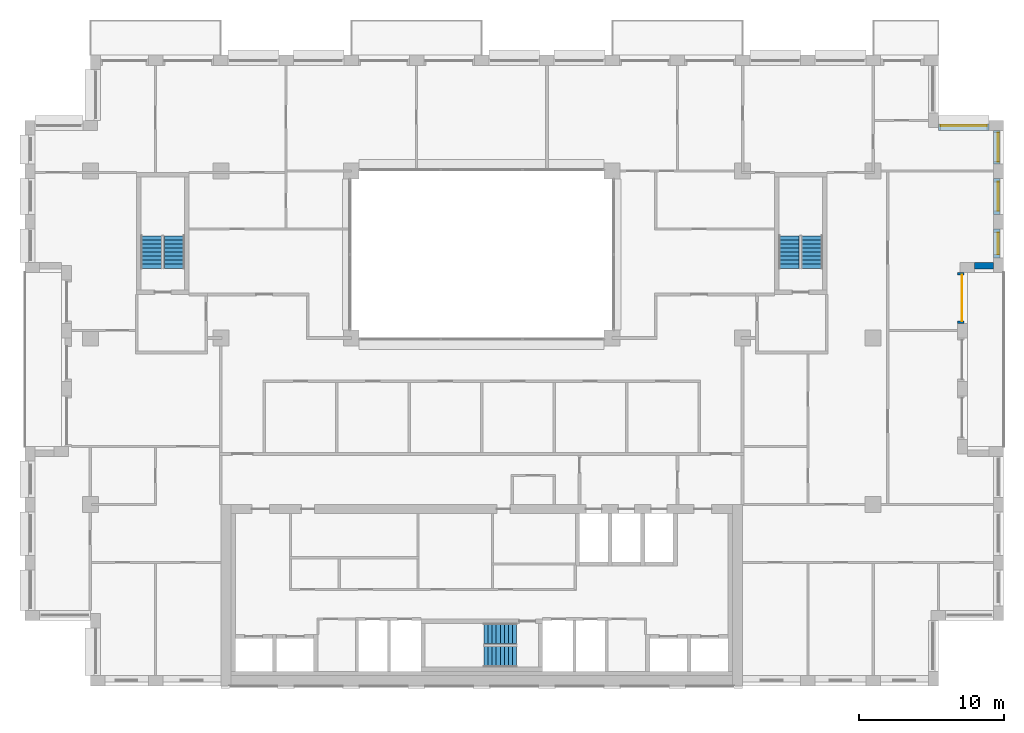
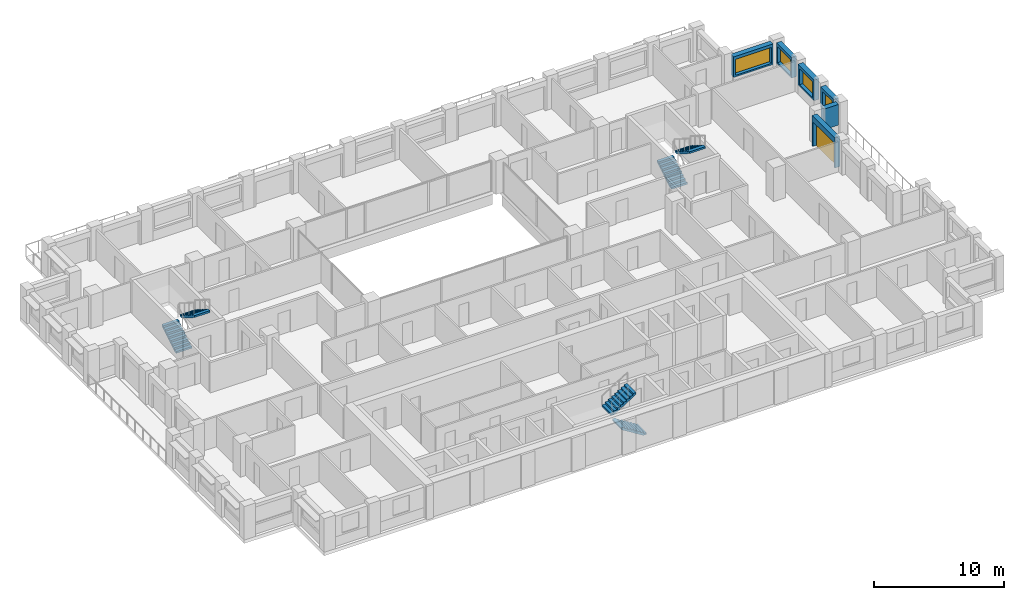
# One storey, part 14 of 15: 6 stair flights, 6 walls, 4 windows, 1 door, 5 openings, 3 elements without a shape of their own.
"""IFC4 building model written with IfcOpenShell, lengths in metres."""

from ifc_helpers import new_model, si_unit, direction, frame, frame_2d, origin, place, context, subcontext, project, spatial, polyline, rectangle, outline, extrude, material, layer, layer_set, type_object, element, fill, aggregate, save


model = new_model("IFC4")

# Units and contexts
model_context = context("Model", 3, precision=1e-05, world=origin(), true_north=direction((0.0, 1.0)))
body_context = subcontext(model_context, "Body", "Model", "MODEL_VIEW")
ifc_project = project(units=[si_unit("LENGTHUNIT", "METRE"), si_unit("AREAUNIT", "SQUARE_METRE"), si_unit("VOLUMEUNIT", "CUBIC_METRE"), si_unit("PLANEANGLEUNIT", "RADIAN"), si_unit("MASSUNIT", "GRAM", prefix="KILO")], contexts=[model_context])

# Site, building, storey
site_placement = place(None, origin())
site = spatial("IfcSite", under=ifc_project, at=site_placement, CompositionType="ELEMENT")
building_placement = place(site_placement, origin())
building = spatial("IfcBuilding", under=site, at=building_placement, Name="Brigalow Station Residences", CompositionType="ELEMENT")
storey_placement = place(building_placement, frame((0.0, 0.0, 150.75)))
storey = spatial("IfcBuildingStorey", under=building, at=storey_placement, Name="L43", CompositionType="ELEMENT", Elevation=150.75)

# Wall, opening, door
ifc_material_1 = material(Name="Clay brick masonry", Category="masonry")
ifc_layer = layer(ifc_material_1, 0.449951171875)
ifc_layer_set = layer_set([ifc_layer], Name="BRICK INFILL WALL 450")
wall_type = type_object("IfcWallType", Name="BRICK INFILL WALL 450", PredefinedType="SOLIDWALL", material=ifc_layer_set)
wall_1_placement = place(storey_placement, frame((69.02490234375, 25.0, 0.0), z_axis=(0.0, 0.0, 1.0), x_axis=(0.0, 1.0, 0.0)))
wall_1 = element("IfcWall", 1, at=wall_1_placement, inside=storey, type_object=wall_type, Name="L43/ewall/W-L43-15", PredefinedType="SOLIDWALL", context=body_context, shape_type="SweptSolid", body=[
    extrude(rectangle(XDim=3.5, YDim=0.449951171875, at=frame_2d((1.75, 0.0))), origin(), (0.0, 0.0, 1.0), 2.830078125),
])
opening_1_placement = place(wall_1_placement, frame((0.14990234375, 0.0, 0.0)))
opening_1 = element("IfcOpeningElement", 2, at=opening_1_placement, cuts=wall_1, Name="Opening D-B3200", PredefinedType="OPENING", context=body_context, shape_type="SweptSolid", body=[
    extrude(rectangle(XDim=3.199951171875, YDim=2.300048828125, at=frame_2d((1.60009765625, 1.14990234375))), frame((0.0, 0.23486328125, 0.0), z_axis=(0.0, -1.0, 0.0), x_axis=(1.0, 0.0, 0.0)), (0.0, 0.0, 1.0), 0.469970703125),
])
ifc_material_2 = material(Name="Anodised aluminium frame with double glazing", Category="aluminium")
door_type = type_object("IfcDoorType", Name="BALCONY SLIDING DOOR 3200x2300", OperationType="SLIDING_TO_LEFT", PredefinedType="DOOR", material=ifc_material_2)
door_placement = place(opening_1_placement, origin())
door = element("IfcDoor", 3, at=door_placement, inside=storey, type_object=door_type, Name="L43/balcony-door/W-L43-15", OperationType="SLIDING_TO_LEFT", OverallHeight=2.300048828125, OverallWidth=3.199951171875, PredefinedType="DOOR", context=body_context, shape_type="SweptSolid", body=[
    extrude(rectangle(XDim=3.199951171875, YDim=2.300048828125, at=frame_2d((1.60009765625, 1.14990234375))), frame((0.0, -0.06982421875, 0.0), z_axis=(0.0, -1.0, 0.0), x_axis=(1.0, 0.0, 0.0)), (0.0, 0.0, 1.0), 0.050048828125),
])
fill(opening_1, door)

# Wall
wall_2_placement = place(storey_placement, frame((70.0, 28.97509765625, 0.89990234375), z_axis=(0.0, 0.0, 1.0), x_axis=(1.0, 0.0, 0.0)))
element("IfcWall", 4, at=wall_2_placement, inside=storey, type_object=wall_type, Name="L43/ewall/W-L43-16", PredefinedType="SOLIDWALL", context=body_context, shape_type="SweptSolid", body=[
    extrude(rectangle(XDim=1.300048828125, YDim=0.449951171875, at=frame_2d((0.64990234375, 0.0))), origin(), (0.0, 0.0, 1.0), 1.93017578125),
])

# Wall, opening, window
wall_3_placement = place(storey_placement, frame((71.52490234375, 29.5, 0.89990234375), z_axis=(0.0, 0.0, 1.0), x_axis=(0.0, 1.0, 0.0)))
wall_3 = element("IfcWall", 5, at=wall_3_placement, inside=storey, type_object=wall_type, Name="L43/ewall/W-L43-17", PredefinedType="SOLIDWALL", context=body_context, shape_type="SweptSolid", body=[
    extrude(rectangle(XDim=2.0, YDim=0.449951171875, at=frame_2d((1.0, 0.0))), origin(), (0.0, 0.0, 1.0), 1.93017578125),
])
opening_2_placement = place(wall_3_placement, frame((0.25, 0.0, 0.14990234375)))
opening_2 = element("IfcOpeningElement", 6, at=opening_2_placement, cuts=wall_3, Name="Opening WT-1", PredefinedType="OPENING", context=body_context, shape_type="SweptSolid", body=[
    extrude(rectangle(XDim=1.5, YDim=1.5, at=frame_2d((0.75, 0.75))), frame((0.0, 0.23486328125, 0.0), z_axis=(0.0, -1.0, 0.0), x_axis=(1.0, 0.0, 0.0)), (0.0, 0.0, 1.0), 0.469970703125),
])
ifc_material_3 = material(Name="Anodised aluminium frame with double glazing", Category="aluminium")
window_type_1 = type_object("IfcWindowType", Name="WINDOW 1500x1500", PartitioningType="SINGLE_PANEL", PredefinedType="WINDOW", material=ifc_material_3)
window_1_placement = place(opening_2_placement, origin())
window_1 = element("IfcWindow", 7, at=window_1_placement, inside=storey, type_object=window_type_1, Name="L43/window/W-L43-17", OverallHeight=1.5, OverallWidth=1.5, PartitioningType="SINGLE_PANEL", PredefinedType="WINDOW", context=body_context, shape_type="SweptSolid", body=[
    extrude(rectangle(XDim=1.5, YDim=1.5, at=frame_2d((0.75, 0.75))), frame((0.0, -0.06494140625, 0.0), z_axis=(0.0, -1.0, 0.0), x_axis=(1.0, 0.0, 0.0)), (0.0, 0.0, 1.0), 0.06005859375),
])
fill(opening_2, window_1)

wall_4_placement = place(storey_placement, frame((71.52490234375, 32.5, 0.89990234375), z_axis=(0.0, 0.0, 1.0), x_axis=(0.0, 1.0, 0.0)))
wall_4 = element("IfcWall", 8, at=wall_4_placement, inside=storey, type_object=wall_type, Name="L43/ewall/W-L43-18", PredefinedType="SOLIDWALL", context=body_context, shape_type="SweptSolid", body=[
    extrude(rectangle(XDim=2.5, YDim=0.449951171875, at=frame_2d((1.25, 0.0))), origin(), (0.0, 0.0, 1.0), 1.93017578125),
])
opening_3_placement = place(wall_4_placement, frame((0.25, 0.0, 0.14990234375)))
opening_3 = element("IfcOpeningElement", 9, at=opening_3_placement, cuts=wall_4, Name="Opening WT-7", PredefinedType="OPENING", context=body_context, shape_type="SweptSolid", body=[
    extrude(rectangle(XDim=2.0, YDim=1.5, at=frame_2d((1.0, 0.75))), frame((0.0, 0.23486328125, 0.0), z_axis=(0.0, -1.0, 0.0), x_axis=(1.0, 0.0, 0.0)), (0.0, 0.0, 1.0), 0.469970703125),
])
ifc_material_4 = material(Name="Anodised aluminium frame with double glazing", Category="aluminium")
window_type_2 = type_object("IfcWindowType", Name="WINDOW 2000x1500", PartitioningType="SINGLE_PANEL", PredefinedType="WINDOW", material=ifc_material_4)
window_2_placement = place(opening_3_placement, origin())
window_2 = element("IfcWindow", 10, at=window_2_placement, inside=storey, type_object=window_type_2, Name="L43/window/W-L43-18", OverallHeight=1.5, OverallWidth=2.0, PartitioningType="SINGLE_PANEL", PredefinedType="WINDOW", context=body_context, shape_type="SweptSolid", body=[
    extrude(rectangle(XDim=2.0, YDim=1.5, at=frame_2d((1.0, 0.75))), frame((0.0, -0.06494140625, 0.0), z_axis=(0.0, -1.0, 0.0), x_axis=(1.0, 0.0, 0.0)), (0.0, 0.0, 1.0), 0.06005859375),
])
fill(opening_3, window_2)

wall_5_placement = place(storey_placement, frame((71.52490234375, 36.0, 0.89990234375), z_axis=(0.0, 0.0, 1.0), x_axis=(0.0, 1.0, 0.0)))
wall_5 = element("IfcWall", 11, at=wall_5_placement, inside=storey, type_object=wall_type, Name="L43/ewall/W-L43-19", PredefinedType="SOLIDWALL", context=body_context, shape_type="SweptSolid", body=[
    extrude(rectangle(XDim=2.300048828125, YDim=0.449951171875, at=frame_2d((1.14990234375, 0.0))), origin(), (0.0, 0.0, 1.0), 1.93017578125),
])
opening_4_placement = place(wall_5_placement, frame((0.14990234375, 0.0, 0.14990234375)))
opening_4 = element("IfcOpeningElement", 12, at=opening_4_placement, cuts=wall_5, Name="Opening WT-7", PredefinedType="OPENING", context=body_context, shape_type="SweptSolid", body=[
    extrude(rectangle(XDim=2.0, YDim=1.5, at=frame_2d((1.0, 0.75))), frame((0.0, 0.23486328125, 0.0), z_axis=(0.0, -1.0, 0.0), x_axis=(1.0, 0.0, 0.0)), (0.0, 0.0, 1.0), 0.469970703125),
])
window_3_placement = place(opening_4_placement, origin())
window_3 = element("IfcWindow", 13, at=window_3_placement, inside=storey, type_object=window_type_2, Name="L43/window/W-L43-19", OverallHeight=1.5, OverallWidth=2.0, PartitioningType="SINGLE_PANEL", PredefinedType="WINDOW", context=body_context, shape_type="SweptSolid", body=[
    extrude(rectangle(XDim=2.0, YDim=1.5, at=frame_2d((1.0, 0.75))), frame((0.0, -0.06494140625, 0.0), z_axis=(0.0, -1.0, 0.0), x_axis=(1.0, 0.0, 0.0)), (0.0, 0.0, 1.0), 0.06005859375),
])
fill(opening_4, window_3)

wall_6_placement = place(storey_placement, frame((71.0, 38.52490234375, 0.89990234375), z_axis=(0.0, 0.0, 1.0), x_axis=(-1.0, 0.0, 0.0)))
wall_6 = element("IfcWall", 14, at=wall_6_placement, inside=storey, type_object=wall_type, Name="L43/ewall/W-L43-20", PredefinedType="SOLIDWALL", context=body_context, shape_type="SweptSolid", body=[
    extrude(rectangle(XDim=3.5, YDim=0.449951171875, at=frame_2d((1.75, 0.0))), origin(), (0.0, 0.0, 1.0), 1.93017578125),
])
opening_5_placement = place(wall_6_placement, frame((0.14990234375, 0.0, 0.14990234375)))
opening_5 = element("IfcOpeningElement", 15, at=opening_5_placement, cuts=wall_6, Name="Opening WT-9", PredefinedType="OPENING", context=body_context, shape_type="SweptSolid", body=[
    extrude(rectangle(XDim=3.199951171875, YDim=1.5, at=frame_2d((1.60009765625, 0.75))), frame((0.0, 0.23486328125, 0.0), z_axis=(0.0, -1.0, 0.0), x_axis=(1.0, 0.0, 0.0)), (0.0, 0.0, 1.0), 0.469970703125),
])
ifc_material_5 = material(Name="Anodised aluminium frame with double glazing", Category="aluminium")
window_type_3 = type_object("IfcWindowType", Name="WINDOW 3200x1500", PartitioningType="SINGLE_PANEL", PredefinedType="WINDOW", material=ifc_material_5)
window_4_placement = place(opening_5_placement, origin())
window_4 = element("IfcWindow", 16, at=window_4_placement, inside=storey, type_object=window_type_3, Name="L43/window/W-L43-20", OverallHeight=1.5, OverallWidth=3.199951171875, PartitioningType="SINGLE_PANEL", PredefinedType="WINDOW", context=body_context, shape_type="SweptSolid", body=[
    extrude(rectangle(XDim=3.199951171875, YDim=1.5, at=frame_2d((1.60009765625, 0.75))), frame((0.0, -0.06494140625, 0.0), z_axis=(0.0, -1.0, 0.0), x_axis=(1.0, 0.0, 0.0)), (0.0, 0.0, 1.0), 0.06005859375),
])
fill(opening_5, window_4)

# Stair, stair flights
ifc_material_6 = material(Name="Concrete C50", Category="concrete")
stair_type = type_object("IfcStairType", Name="EXIT STAIR 1400 2 FLIGHT", PredefinedType="HALF_TURN_STAIR", material=ifc_material_6)
stair_1_placement = place(storey_placement, origin())
stair_1 = element("IfcStair", 17, at=stair_1_placement, inside=storey, type_object=stair_type, Name="EXIT STAIR S2 L43", PredefinedType="HALF_TURN_STAIR")
ifc_material_7 = material(Name="Concrete C50", Category="concrete")
stair_flight_type = type_object("IfcStairFlightType", Name="STAIR FLIGHT 1400", PredefinedType="STRAIGHT", material=ifc_material_7)
stair_flight_1_placement = place(storey_placement, frame((38.39990234375, 2.0, 0.0), z_axis=(0.0, 0.0, 1.0), x_axis=(-1.0, 0.0, 0.0)))
stair_flight_1 = element("IfcStairFlight", 18, at=stair_flight_1_placement, type_object=stair_flight_type, Name="ST-2 flight 1", NumberOfRisers=9, NumberOfTreads=8, PredefinedType="STRAIGHT", RiserHeight=0.175, TreadLength=0.28, context=body_context, shape_type="SweptSolid", body=[
    extrude(outline(polyline([(0.0, 0.0), (0.0, 0.175048828125), (0.280029296875, 0.175048828125), (0.280029296875, 0.35009765625), (0.56005859375, 0.35009765625), (0.56005859375, 0.52490234375), (0.840087890625, 0.52490234375), (0.840087890625, 0.699951171875), (1.1201171875, 0.699951171875), (1.1201171875, 0.875), (1.39990234375, 0.875), (1.39990234375, 1.050048828125), (1.679931640625, 1.050048828125), (1.679931640625, 1.22509765625), (1.9599609375, 1.22509765625), (1.9599609375, 1.39990234375), (2.239990234375, 1.39990234375), (2.239990234375, 1.574951171875), (2.239990234375, 1.22314453125), (0.28271484375, 0.0), (0.0, 0.0)])), frame((0.0, 0.699951171875, 0.0), z_axis=(0.0, -1.0, 0.0), x_axis=(1.0, 0.0, 0.0)), (0.0, 0.0, 1.0), 1.39990234375),
])
stair_flight_2_placement = place(storey_placement, frame((36.159912109375, 3.60009765625, 1.574951171875), z_axis=(0.0, 0.0, 1.0), x_axis=(1.0, 0.0, 0.0)))
stair_flight_2 = element("IfcStairFlight", 19, at=stair_flight_2_placement, type_object=stair_flight_type, Name="ST-2 flight 2", NumberOfRisers=9, NumberOfTreads=8, PredefinedType="STRAIGHT", RiserHeight=0.175, TreadLength=0.28, context=body_context, shape_type="SweptSolid", body=[
    extrude(outline(polyline([(0.0, 0.0), (0.0, 0.175048828125), (0.280029296875, 0.175048828125), (0.280029296875, 0.35009765625), (0.56005859375, 0.35009765625), (0.56005859375, 0.52490234375), (0.840087890625, 0.52490234375), (0.840087890625, 0.699951171875), (1.1201171875, 0.699951171875), (1.1201171875, 0.875), (1.39990234375, 0.875), (1.39990234375, 1.050048828125), (1.679931640625, 1.050048828125), (1.679931640625, 1.22509765625), (1.9599609375, 1.22509765625), (1.9599609375, 1.39990234375), (2.239990234375, 1.39990234375), (2.239990234375, 1.574951171875), (2.239990234375, 1.22314453125), (0.28271484375, 0.0), (0.0, 0.0)])), frame((0.0, 0.699951171875, 0.0), z_axis=(0.0, -1.0, 0.0), x_axis=(1.0, 0.0, 0.0)), (0.0, 0.0, 1.0), 1.39990234375),
])
aggregate(stair_1, [stair_flight_1, stair_flight_2])

stair_2_placement = place(storey_placement, origin())
stair_2 = element("IfcStair", 20, at=stair_2_placement, inside=storey, type_object=stair_type, Name="EXIT STAIR S1 L43", PredefinedType="HALF_TURN_STAIR")
stair_flight_3_placement = place(storey_placement, frame((13.199951171875, 28.800048828125, 0.0), z_axis=(0.0, 0.0, 1.0), x_axis=(0.0, 1.0, 0.0)))
stair_flight_3 = element("IfcStairFlight", 21, at=stair_flight_3_placement, type_object=stair_flight_type, Name="ST-1 flight 1", NumberOfRisers=9, NumberOfTreads=8, PredefinedType="STRAIGHT", RiserHeight=0.175, TreadLength=0.28, context=body_context, shape_type="SweptSolid", body=[
    extrude(outline(polyline([(0.0, 0.0), (0.0, 0.175048828125), (0.280029296875, 0.175048828125), (0.280029296875, 0.35009765625), (0.56005859375, 0.35009765625), (0.56005859375, 0.52490234375), (0.840087890625, 0.52490234375), (0.840087890625, 0.699951171875), (1.1201171875, 0.699951171875), (1.1201171875, 0.875), (1.39990234375, 0.875), (1.39990234375, 1.050048828125), (1.679931640625, 1.050048828125), (1.679931640625, 1.22509765625), (1.9599609375, 1.22509765625), (1.9599609375, 1.39990234375), (2.239990234375, 1.39990234375), (2.239990234375, 1.574951171875), (2.239990234375, 1.22314453125), (0.28271484375, 0.0), (0.0, 0.0)])), frame((0.0, 0.699951171875, 0.0), z_axis=(0.0, -1.0, 0.0), x_axis=(1.0, 0.0, 0.0)), (0.0, 0.0, 1.0), 1.39990234375),
])
stair_flight_4_placement = place(storey_placement, frame((14.800048828125, 31.0400390625, 1.574951171875), z_axis=(0.0, 0.0, 1.0), x_axis=(0.0, -1.0, 0.0)))
stair_flight_4 = element("IfcStairFlight", 22, at=stair_flight_4_placement, type_object=stair_flight_type, Name="ST-1 flight 2", NumberOfRisers=9, NumberOfTreads=8, PredefinedType="STRAIGHT", RiserHeight=0.175, TreadLength=0.28, context=body_context, shape_type="SweptSolid", body=[
    extrude(outline(polyline([(0.0, 0.0), (0.0, 0.175048828125), (0.280029296875, 0.175048828125), (0.280029296875, 0.35009765625), (0.56005859375, 0.35009765625), (0.56005859375, 0.52490234375), (0.840087890625, 0.52490234375), (0.840087890625, 0.699951171875), (1.1201171875, 0.699951171875), (1.1201171875, 0.875), (1.39990234375, 0.875), (1.39990234375, 1.050048828125), (1.679931640625, 1.050048828125), (1.679931640625, 1.22509765625), (1.9599609375, 1.22509765625), (1.9599609375, 1.39990234375), (2.239990234375, 1.39990234375), (2.239990234375, 1.574951171875), (2.239990234375, 1.22314453125), (0.28271484375, 0.0), (0.0, 0.0)])), frame((0.0, 0.699951171875, 0.0), z_axis=(0.0, -1.0, 0.0), x_axis=(1.0, 0.0, 0.0)), (0.0, 0.0, 1.0), 1.39990234375),
])
aggregate(stair_2, [stair_flight_3, stair_flight_4])

stair_3_placement = place(storey_placement, origin())
stair_3 = element("IfcStair", 23, at=stair_3_placement, inside=storey, type_object=stair_type, Name="EXIT STAIR S3 L43", PredefinedType="HALF_TURN_STAIR")
stair_flight_5_placement = place(storey_placement, frame((57.199951171875, 28.800048828125, 0.0), z_axis=(0.0, 0.0, 1.0), x_axis=(0.0, 1.0, 0.0)))
stair_flight_5 = element("IfcStairFlight", 24, at=stair_flight_5_placement, type_object=stair_flight_type, Name="ST-3 flight 1", NumberOfRisers=9, NumberOfTreads=8, PredefinedType="STRAIGHT", RiserHeight=0.175, TreadLength=0.28, context=body_context, shape_type="SweptSolid", body=[
    extrude(outline(polyline([(0.0, 0.0), (0.0, 0.175048828125), (0.280029296875, 0.175048828125), (0.280029296875, 0.35009765625), (0.56005859375, 0.35009765625), (0.56005859375, 0.52490234375), (0.840087890625, 0.52490234375), (0.840087890625, 0.699951171875), (1.1201171875, 0.699951171875), (1.1201171875, 0.875), (1.39990234375, 0.875), (1.39990234375, 1.050048828125), (1.679931640625, 1.050048828125), (1.679931640625, 1.22509765625), (1.9599609375, 1.22509765625), (1.9599609375, 1.39990234375), (2.239990234375, 1.39990234375), (2.239990234375, 1.574951171875), (2.239990234375, 1.22314453125), (0.28271484375, 0.0), (0.0, 0.0)])), frame((0.0, 0.699951171875, 0.0), z_axis=(0.0, -1.0, 0.0), x_axis=(1.0, 0.0, 0.0)), (0.0, 0.0, 1.0), 1.39990234375),
])
stair_flight_6_placement = place(storey_placement, frame((58.800048828125, 31.0400390625, 1.574951171875), z_axis=(0.0, 0.0, 1.0), x_axis=(0.0, -1.0, 0.0)))
stair_flight_6 = element("IfcStairFlight", 25, at=stair_flight_6_placement, type_object=stair_flight_type, Name="ST-3 flight 2", NumberOfRisers=9, NumberOfTreads=8, PredefinedType="STRAIGHT", RiserHeight=0.175, TreadLength=0.28, context=body_context, shape_type="SweptSolid", body=[
    extrude(outline(polyline([(0.0, 0.0), (0.0, 0.175048828125), (0.280029296875, 0.175048828125), (0.280029296875, 0.35009765625), (0.56005859375, 0.35009765625), (0.56005859375, 0.52490234375), (0.840087890625, 0.52490234375), (0.840087890625, 0.699951171875), (1.1201171875, 0.699951171875), (1.1201171875, 0.875), (1.39990234375, 0.875), (1.39990234375, 1.050048828125), (1.679931640625, 1.050048828125), (1.679931640625, 1.22509765625), (1.9599609375, 1.22509765625), (1.9599609375, 1.39990234375), (2.239990234375, 1.39990234375), (2.239990234375, 1.574951171875), (2.239990234375, 1.22314453125), (0.28271484375, 0.0), (0.0, 0.0)])), frame((0.0, 0.699951171875, 0.0), z_axis=(0.0, -1.0, 0.0), x_axis=(1.0, 0.0, 0.0)), (0.0, 0.0, 1.0), 1.39990234375),
])
aggregate(stair_3, [stair_flight_5, stair_flight_6])

save(model, "model.ifc")
